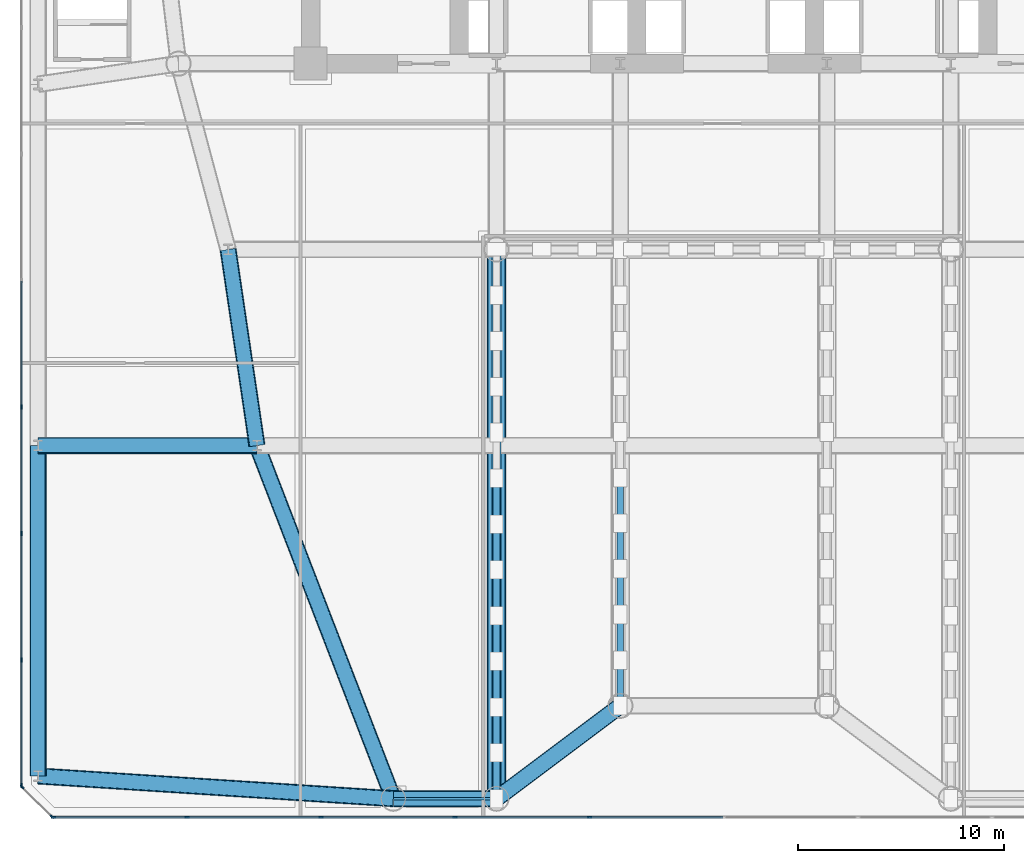
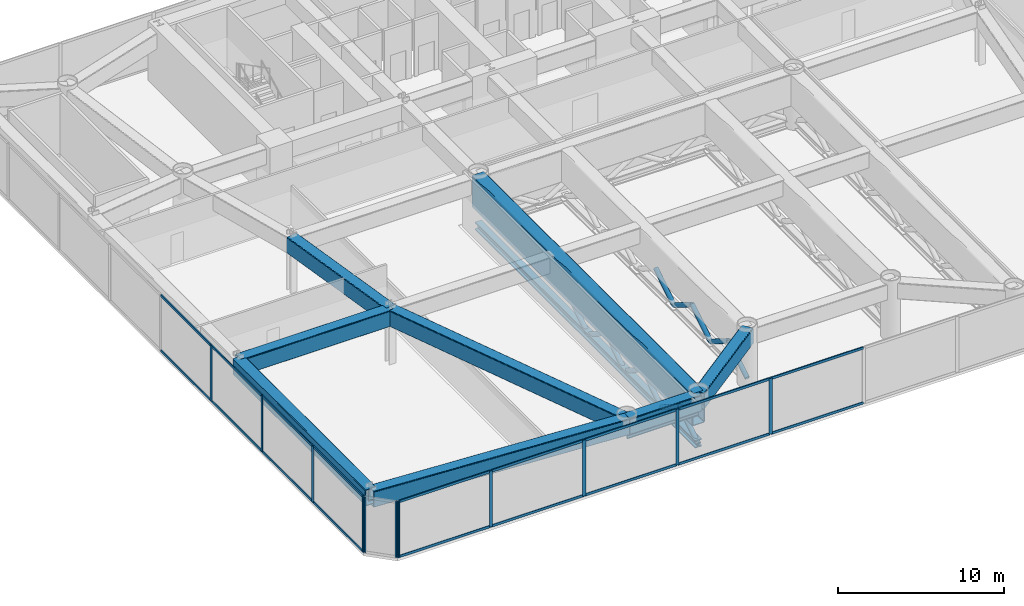
# One storey, part 2 of 21: 42 members, 9 beams, 3 elements without a shape of their own.
"""IFC4 building model written with IfcOpenShell, lengths in metres."""

from ifc_helpers import new_model, si_unit, direction, frame, origin, origin_2d, place, context, subcontext, project, spatial, rectangle, hollow_rectangle, hollow_circle, i_section, extrude, source, transform, mapped, material, layer, layer_set, material_profile, profile_set, type_object, element, aggregate, save


model = new_model("IFC4")

# Units and contexts
model_context = context("Model", 3, precision=1e-05, world=origin(), true_north=direction((0.0, 1.0)))
body_context = subcontext(model_context, "Body", "Model", "MODEL_VIEW")
ifc_project = project(units=[si_unit("LENGTHUNIT", "METRE"), si_unit("AREAUNIT", "SQUARE_METRE"), si_unit("VOLUMEUNIT", "CUBIC_METRE"), si_unit("PLANEANGLEUNIT", "RADIAN"), si_unit("MASSUNIT", "GRAM", prefix="KILO")], contexts=[model_context])

# Site, building, storey
site_placement = place(None, origin())
site = spatial("IfcSite", under=ifc_project, at=site_placement, CompositionType="ELEMENT")
building_placement = place(site_placement, origin())
building = spatial("IfcBuilding", under=site, at=building_placement, Name="Vaeldorn Concourse Tower", CompositionType="ELEMENT")
storey_placement = place(building_placement, frame((0.0, 0.0, 14.39990234375)))
storey = spatial("IfcBuildingStorey", under=building, at=storey_placement, Name="L03", CompositionType="ELEMENT", Elevation=14.39990234375)

# Beams
ifc_material_1 = material(Name="Steel S460", Category="steel")
ifc_material_profile_1 = material_profile(ifc_material_1, hollow_rectangle(XDim=0.89990234375, YDim=2.39990234375, WallThickness=0.06005859375, InnerFilletRadius=0.06005859375, OuterFilletRadius=0.1201171875, at=origin_2d()), Name="RHS 2400x900x60")
ifc_profile_set_1 = profile_set([ifc_material_profile_1], Name="Steel S460")
beam_type_1 = type_object("IfcBeamType", Name="BM-TG-BOX2400", PredefinedType="BEAM", material=ifc_profile_set_1)
shared_shape_1 = source(origin(), body_context, "Body", "SweptSolid", [
    extrude(hollow_rectangle(XDim=0.89990234375, YDim=2.39990234375, WallThickness=0.06005859375, InnerFilletRadius=0.06005859375, OuterFilletRadius=0.1201171875, at=origin_2d()), origin(), (0.0, 0.0, 1.0), 26.60009765625),
])
beam_1_placement = place(storey_placement, frame((23.0, 0.89990234375, 2.920166015625), z_axis=(0.0, 1.0, 0.0), x_axis=(-1.0, 0.0, 0.0)))
element("IfcBeam", 1, at=beam_1_placement, inside=storey, type_object=beam_type_1, Name="Beam BM-L03-TG-W2400", PredefinedType="BEAM", context=body_context, shape_type="MappedRepresentation", body=[
    mapped(shared_shape_1, transform((0.0, 0.0, 0.0), scale=1.0)),
])
ifc_material_profile_2 = material_profile(ifc_material_1, hollow_rectangle(XDim=0.800048828125, YDim=1.199951171875, WallThickness=0.044921875, InnerFilletRadius=0.044921875, OuterFilletRadius=0.090087890625, at=origin_2d()), Name="RHS 1200x800x45")
ifc_profile_set_2 = profile_set([ifc_material_profile_2], Name="Steel S460")
beam_type_2 = type_object("IfcBeamType", Name="BM-TG-RHS1200", PredefinedType="BEAM", material=ifc_profile_set_2)
shared_shape_2 = source(origin(), body_context, "Body", "SweptSolid", [
    extrude(hollow_rectangle(XDim=0.800048828125, YDim=1.199951171875, WallThickness=0.044921875, InnerFilletRadius=0.044921875, OuterFilletRadius=0.090087890625, at=origin_2d()), origin(), (0.0, 0.0, 1.0), 17.235107421875),
])
beam_2_placement = place(storey_placement, frame((0.800048828125, 2.0, 3.52001953125), z_axis=(0.997960855094, -0.063828925254, 0.0), x_axis=(0.063828925254, 0.997960855094, 0.0)))
element("IfcBeam", 2, at=beam_2_placement, inside=storey, type_object=beam_type_2, Name="Beam BM-L03-TG-12", PredefinedType="BEAM", context=body_context, shape_type="MappedRepresentation", body=[
    mapped(shared_shape_2, transform((0.0, 0.0, 0.0), scale=1.0)),
])
shared_shape_3 = source(origin(), body_context, "Body", "SweptSolid", [
    extrude(hollow_rectangle(XDim=0.800048828125, YDim=1.199951171875, WallThickness=0.044921875, InnerFilletRadius=0.044921875, OuterFilletRadius=0.090087890625, at=origin_2d()), origin(), (0.0, 0.0, 1.0), 5.0),
])
beam_3_placement = place(storey_placement, frame((18.0, 0.89990234375, 3.52001953125), z_axis=(1.0, 0.0, 0.0), x_axis=(0.0, 1.0, 0.0)))
element("IfcBeam", 3, at=beam_3_placement, inside=storey, type_object=beam_type_2, Name="Beam BM-L03-TG-13", PredefinedType="BEAM", context=body_context, shape_type="MappedRepresentation", body=[
    mapped(shared_shape_3, transform((0.0, 0.0, 0.0), scale=1.0)),
])
shared_shape_4 = source(origin(), body_context, "Body", "SweptSolid", [
    extrude(hollow_rectangle(XDim=0.800048828125, YDim=1.199951171875, WallThickness=0.044921875, InnerFilletRadius=0.044921875, OuterFilletRadius=0.090087890625, at=origin_2d()), origin(), (0.0, 0.0, 1.0), 7.5),
])
beam_4_placement = place(storey_placement, frame((23.0, 0.89990234375, 3.52001953125), z_axis=(0.8, 0.6, 0.0), x_axis=(-0.6, 0.8, 0.0)))
element("IfcBeam", 4, at=beam_4_placement, inside=storey, type_object=beam_type_2, Name="Beam BM-L03-TG-14", PredefinedType="BEAM", context=body_context, shape_type="MappedRepresentation", body=[
    mapped(shared_shape_4, transform((0.0, 0.0, 0.0), scale=1.0)),
])
shared_shape_5 = source(origin(), body_context, "Body", "SweptSolid", [
    extrude(hollow_rectangle(XDim=0.800048828125, YDim=1.199951171875, WallThickness=0.044921875, InnerFilletRadius=0.044921875, OuterFilletRadius=0.090087890625, at=origin_2d()), origin(), (0.0, 0.0, 1.0), 16.0),
])
beam_5_placement = place(storey_placement, frame((0.800048828125, 2.0, 3.52001953125), z_axis=(0.0, 1.0, 0.0), x_axis=(-1.0, 0.0, 0.0)))
element("IfcBeam", 5, at=beam_5_placement, inside=storey, type_object=beam_type_2, Name="Beam BM-L03-TG-19", PredefinedType="BEAM", context=body_context, shape_type="MappedRepresentation", body=[
    mapped(shared_shape_5, transform((0.0, 0.0, 0.0), scale=1.0)),
])
shared_shape_6 = source(origin(), body_context, "Body", "SweptSolid", [
    extrude(hollow_rectangle(XDim=0.800048828125, YDim=1.199951171875, WallThickness=0.044921875, InnerFilletRadius=0.044921875, OuterFilletRadius=0.090087890625, at=origin_2d()), origin(), (0.0, 0.0, 1.0), 10.599853515625),
])
beam_6_placement = place(storey_placement, frame((0.800048828125, 18.0, 3.52001953125), z_axis=(1.0, 0.0, 0.0), x_axis=(0.0, 1.0, 0.0)))
element("IfcBeam", 6, at=beam_6_placement, inside=storey, type_object=beam_type_2, Name="Beam BM-L03-TG-25", PredefinedType="BEAM", context=body_context, shape_type="MappedRepresentation", body=[
    mapped(shared_shape_6, transform((0.0, 0.0, 0.0), scale=1.0)),
])
shared_shape_7 = source(origin(), body_context, "Body", "SweptSolid", [
    extrude(hollow_rectangle(XDim=0.800048828125, YDim=1.199951171875, WallThickness=0.044921875, InnerFilletRadius=0.044921875, OuterFilletRadius=0.090087890625, at=origin_2d()), origin(), (0.0, 0.0, 1.0), 9.6025390625),
])
beam_7_placement = place(storey_placement, frame((10.0, 27.5, 3.52001953125), z_axis=(0.145783835977, -0.989316467652, 0.0), x_axis=(0.989316467652, 0.145783835977, 0.0)))
element("IfcBeam", 7, at=beam_7_placement, inside=storey, type_object=beam_type_2, Name="Beam BM-L03-TG-37", PredefinedType="BEAM", context=body_context, shape_type="MappedRepresentation", body=[
    mapped(shared_shape_7, transform((0.0, 0.0, 0.0), scale=1.0)),
])
shared_shape_8 = source(origin(), body_context, "Body", "SweptSolid", [
    extrude(hollow_rectangle(XDim=0.800048828125, YDim=1.199951171875, WallThickness=0.044921875, InnerFilletRadius=0.044921875, OuterFilletRadius=0.090087890625, at=origin_2d()), origin(), (0.0, 0.0, 1.0), 18.32958984375),
])
beam_8_placement = place(storey_placement, frame((11.39990234375, 18.0, 3.52001953125), z_axis=(0.36007844134, -0.932922031084, 0.0), x_axis=(0.932922031084, 0.36007844134, 0.0)))
element("IfcBeam", 8, at=beam_8_placement, inside=storey, type_object=beam_type_2, Name="Beam BM-L03-TG-38", PredefinedType="BEAM", context=body_context, shape_type="MappedRepresentation", body=[
    mapped(shared_shape_8, transform((0.0, 0.0, 0.0), scale=1.0)),
])
ifc_material_2 = material(Name="Steel S355", Category="steel")
ifc_material_profile_3 = material_profile(ifc_material_2, i_section(OverallWidth=0.1201171875, OverallDepth=0.239990234375, WebThickness=0.006103515625, FlangeThickness=0.009765625, FilletRadius=0.014892578125, at=origin_2d()), Name="IPE 240")
ifc_profile_set_3 = profile_set([ifc_material_profile_3], Name="Steel S355")
beam_type_3 = type_object("IfcBeamType", Name="BM-LN-IPE240", PredefinedType="LINTEL", material=ifc_profile_set_3)
shared_shape_9 = source(origin(), body_context, "Body", "SweptSolid", [
    extrude(i_section(OverallWidth=0.1201171875, OverallDepth=0.239990234375, WebThickness=0.006103515625, FlangeThickness=0.009765625, FilletRadius=0.014892578125, at=origin_2d()), origin(), (0.0, 0.0, 1.0), 5.0),
])
beam_9_placement = place(storey_placement, frame((18.0, 0.89990234375, 2.550048828125), z_axis=(1.0, 0.0, 0.0), x_axis=(0.0, 1.0, 0.0)))
element("IfcBeam", 9, at=beam_9_placement, inside=storey, type_object=beam_type_3, Name="Podium Concourse Transom Lintel L03-1", PredefinedType="LINTEL", context=body_context, shape_type="MappedRepresentation", body=[
    mapped(shared_shape_9, transform((0.0, 0.0, 0.0), scale=1.0)),
])

# Members
ifc_material_profile_4 = material_profile(ifc_material_1, i_section(OverallWidth=0.4541015625, OverallDepth=0.569091796875, WebThickness=0.077880859375, FlangeThickness=0.080078125, FilletRadius=0.014892578125, at=origin_2d()), Name="HD 400x1086")
ifc_profile_set_4 = profile_set([ifc_material_profile_4], Name="Steel S460")
member_type_1 = type_object("IfcMemberType", Name="MB-TT-CHORD", PredefinedType="CHORD", material=ifc_profile_set_4)
shared_shape_10 = source(origin(), body_context, "Body", "SweptSolid", [
    extrude(i_section(OverallWidth=0.4541015625, OverallDepth=0.569091796875, WebThickness=0.077880859375, FlangeThickness=0.080078125, FilletRadius=0.014892578125, at=origin_2d()), origin(), (0.0, 0.0, 1.0), 26.60009765625),
])
member_1_placement = place(storey_placement, frame((23.0, 0.89990234375, 0.320068359375), z_axis=(0.0, 1.0, 0.0), x_axis=(-1.0, 0.0, 0.0)))
element("IfcMember", 10, at=member_1_placement, inside=storey, type_object=member_type_1, Name="Concourse Spanning Frame TT1 Bottom Chord", PredefinedType="CHORD", context=body_context, shape_type="MappedRepresentation", body=[
    mapped(shared_shape_10, transform((0.0, 0.0, 0.0), scale=1.0)),
])
ifc_material_profile_5 = material_profile(ifc_material_1, hollow_circle(Radius=0.161865234375, WallThickness=0.01611328125, at=origin_2d()), Name="CHS 323.9x16")
ifc_profile_set_5 = profile_set([ifc_material_profile_5], Name="Steel S460")
member_type_2 = type_object("IfcMemberType", Name="MB-KINK-STRUT", PredefinedType="STRUT", material=ifc_profile_set_5)
shared_shape_11 = source(origin(), body_context, "Body", "SweptSolid", [
    extrude(hollow_circle(Radius=0.161865234375, WallThickness=0.01611328125, at=origin_2d()), origin(), (0.0, 0.0, 1.0), 2.621826171875),
])
for number, where, z_axis, x_axis, name in (
    (11, (23.0, 0.89990234375, 0.320068359375), (0.0, 0.845477839764, 0.534010507825), (-1.0, 0.0, 0.0), "Concourse Spanning Frame TT1 Web Diagonal 1"),
    (12, (23.0, 5.333251953125, 0.320068359375), (0.0, -0.845451283482, 0.534052551027), (1.0, 0.0, 0.0), "Concourse Spanning Frame TT1 Web Diagonal 2"),
    (13, (23.0, 5.333251953125, 0.320068359375), (0.0, 0.845477839764, 0.534010507825), (-1.0, 0.0, 0.0), "Concourse Spanning Frame TT1 Web Diagonal 3"),
    (14, (23.0, 9.7666015625, 0.320068359375), (0.0, -0.845451283482, 0.534052551027), (1.0, 0.0, 0.0), "Concourse Spanning Frame TT1 Web Diagonal 4"),
    (15, (23.0, 9.7666015625, 0.320068359375), (0.0, 0.845477839764, 0.534010507825), (-1.0, 0.0, 0.0), "Concourse Spanning Frame TT1 Web Diagonal 5"),
    (16, (23.0, 14.199951171875, 0.320068359375), (0.0, -0.845451283482, 0.534052551027), (1.0, 0.0, 0.0), "Concourse Spanning Frame TT1 Web Diagonal 6"),
    (17, (23.0, 14.199951171875, 0.320068359375), (0.0, 0.845477839764, 0.534010507825), (-1.0, 0.0, 0.0), "Concourse Spanning Frame TT1 Web Diagonal 7"),
):
    element("IfcMember", number, at=place(storey_placement, frame(where, z_axis=z_axis, x_axis=x_axis)), inside=storey, type_object=member_type_2, Name=name, PredefinedType="STRUT", context=body_context, shape_type="MappedRepresentation", body=[
        mapped(shared_shape_11, transform((0.0, 0.0, 0.0), scale=1.0)),
    ])
shared_shape_12 = source(origin(), body_context, "Body", "SweptSolid", [
    extrude(hollow_circle(Radius=0.161865234375, WallThickness=0.01611328125, at=origin_2d()), origin(), (0.0, 0.0, 1.0), 2.616455078125),
])
member_2_placement = place(storey_placement, frame((29.0, 5.39990234375, 0.320068359375), z_axis=(0.0, 0.844758613094, 0.535147536296), x_axis=(-1.0, 0.0, 0.0)))
element("IfcMember", 18, at=member_2_placement, inside=storey, type_object=member_type_2, Name="Concourse Spanning Frame TT2 Web Diagonal 1", PredefinedType="STRUT", context=body_context, shape_type="MappedRepresentation", body=[
    mapped(shared_shape_12, transform((0.0, 0.0, 0.0), scale=1.0)),
])
shared_shape_13 = source(origin(), body_context, "Body", "SweptSolid", [
    extrude(hollow_circle(Radius=0.161865234375, WallThickness=0.01611328125, at=origin_2d()), origin(), (0.0, 0.0, 1.0), 2.6162109375),
])
for number, where, z_axis, x_axis, name in (
    (19, (29.0, 9.820068359375, 0.320068359375), (0.0, -0.844731886813, 0.53518972281), (1.0, 0.0, 0.0), "Concourse Spanning Frame TT2 Web Diagonal 2"),
    (20, (29.0, 9.820068359375, 0.320068359375), (0.0, 0.844731886813, 0.53518972281), (-1.0, 0.0, 0.0), "Concourse Spanning Frame TT2 Web Diagonal 3"),
    (21, (29.0, 14.239990234375, 0.320068359375), (0.0, -0.844731886813, 0.53518972281), (1.0, 0.0, 0.0), "Concourse Spanning Frame TT2 Web Diagonal 4"),
    (22, (29.0, 14.239990234375, 0.320068359375), (0.0, 0.844731886813, 0.53518972281), (-1.0, 0.0, 0.0), "Concourse Spanning Frame TT2 Web Diagonal 5"),
):
    element("IfcMember", number, at=place(storey_placement, frame(where, z_axis=z_axis, x_axis=x_axis)), inside=storey, type_object=member_type_2, Name=name, PredefinedType="STRUT", context=body_context, shape_type="MappedRepresentation", body=[
        mapped(shared_shape_13, transform((0.0, 0.0, 0.0), scale=1.0)),
    ])

# Curtain wall, members
ifc_material_3 = material(Name="Anodised Bronze Aluminium", Category="aluminium")
ifc_layer = layer(ifc_material_3, 0.239990234375)
ifc_layer_set = layer_set([ifc_layer], Name="Anodised Bronze Aluminium")
curtain_wall_type = type_object("IfcCurtainWallType", Name="CW-SYS-04", PredefinedType="NOTDEFINED", material=ifc_layer_set)
curtain_wall_1_placement = place(storey_placement, origin())
curtain_wall_1 = element("IfcCurtainWall", 23, at=curtain_wall_1_placement, inside=storey, type_object=curtain_wall_type, Name="Unitised Curtain Wall CW-L03-E01-1", PredefinedType="NOTDEFINED")
ifc_material_profile_6 = material_profile(ifc_material_3, rectangle(XDim=0.074951171875, YDim=0.179931640625, at=origin_2d()), Name="CWT 75x180")
ifc_profile_set_6 = profile_set([ifc_material_profile_6], Name="Anodised Bronze Aluminium")
member_type_3 = type_object("IfcMemberType", Name="CWT-BRONZE-180", PredefinedType="USERDEFINED", material=ifc_profile_set_6)
shared_shape_14 = source(origin(), body_context, "Body", "SweptSolid", [
    extrude(rectangle(XDim=0.074951171875, YDim=0.179931640625, at=origin_2d()), origin(), (0.0, 0.0, 1.0), 6.387451171875),
])
member_3_placement = place(storey_placement, frame((1.574951171875, 0.0, 0.03759765625), z_axis=(1.0, 0.0, 0.0), x_axis=(0.0, 1.0, 0.0)))
member_3 = element("IfcMember", 24, at=member_3_placement, type_object=member_type_3, Name="CW-04 transom 1.1", ObjectType="TRANSOM", PredefinedType="USERDEFINED", context=body_context, shape_type="MappedRepresentation", body=[
    mapped(shared_shape_14, transform((0.0, 0.0, 0.0), scale=1.0)),
])
member_4_placement = place(storey_placement, frame((1.574951171875, 0.0, 4.08251953125), z_axis=(1.0, 0.0, 0.0), x_axis=(0.0, 1.0, 0.0)))
member_4 = element("IfcMember", 25, at=member_4_placement, type_object=member_type_3, Name="CW-04 transom 1.2", ObjectType="TRANSOM", PredefinedType="USERDEFINED", context=body_context, shape_type="MappedRepresentation", body=[
    mapped(shared_shape_14, transform((0.0, 0.0, 0.0), scale=1.0)),
])
shared_shape_15 = source(origin(), body_context, "Body", "SweptSolid", [
    extrude(rectangle(XDim=0.074951171875, YDim=0.179931640625, at=origin_2d()), origin(), (0.0, 0.0, 1.0), 6.4248046875),
])
member_5_placement = place(storey_placement, frame((8.03759765625, 0.0, 0.03759765625), z_axis=(1.0, 0.0, 0.0), x_axis=(0.0, 1.0, 0.0)))
member_5 = element("IfcMember", 26, at=member_5_placement, type_object=member_type_3, Name="CW-04 transom 2.1", ObjectType="TRANSOM", PredefinedType="USERDEFINED", context=body_context, shape_type="MappedRepresentation", body=[
    mapped(shared_shape_15, transform((0.0, 0.0, 0.0), scale=1.0)),
])
member_6_placement = place(storey_placement, frame((8.03759765625, 0.0, 4.08251953125), z_axis=(1.0, 0.0, 0.0), x_axis=(0.0, 1.0, 0.0)))
member_6 = element("IfcMember", 27, at=member_6_placement, type_object=member_type_3, Name="CW-04 transom 2.2", ObjectType="TRANSOM", PredefinedType="USERDEFINED", context=body_context, shape_type="MappedRepresentation", body=[
    mapped(shared_shape_15, transform((0.0, 0.0, 0.0), scale=1.0)),
])
member_7_placement = place(storey_placement, frame((14.53759765625, 0.0, 0.03759765625), z_axis=(1.0, 0.0, 0.0), x_axis=(0.0, 1.0, 0.0)))
member_7 = element("IfcMember", 28, at=member_7_placement, type_object=member_type_3, Name="CW-04 transom 3.1", ObjectType="TRANSOM", PredefinedType="USERDEFINED", context=body_context, shape_type="MappedRepresentation", body=[
    mapped(shared_shape_15, transform((0.0, 0.0, 0.0), scale=1.0)),
])
member_8_placement = place(storey_placement, frame((14.53759765625, 0.0, 4.08251953125), z_axis=(1.0, 0.0, 0.0), x_axis=(0.0, 1.0, 0.0)))
member_8 = element("IfcMember", 29, at=member_8_placement, type_object=member_type_3, Name="CW-04 transom 3.2", ObjectType="TRANSOM", PredefinedType="USERDEFINED", context=body_context, shape_type="MappedRepresentation", body=[
    mapped(shared_shape_15, transform((0.0, 0.0, 0.0), scale=1.0)),
])
member_9_placement = place(storey_placement, frame((21.03759765625, 0.0, 0.03759765625), z_axis=(1.0, 0.0, 0.0), x_axis=(0.0, 1.0, 0.0)))
member_9 = element("IfcMember", 30, at=member_9_placement, type_object=member_type_3, Name="CW-04 transom 4.1", ObjectType="TRANSOM", PredefinedType="USERDEFINED", context=body_context, shape_type="MappedRepresentation", body=[
    mapped(shared_shape_15, transform((0.0, 0.0, 0.0), scale=1.0)),
])
member_10_placement = place(storey_placement, frame((21.03759765625, 0.0, 4.08251953125), z_axis=(1.0, 0.0, 0.0), x_axis=(0.0, 1.0, 0.0)))
member_10 = element("IfcMember", 31, at=member_10_placement, type_object=member_type_3, Name="CW-04 transom 4.2", ObjectType="TRANSOM", PredefinedType="USERDEFINED", context=body_context, shape_type="MappedRepresentation", body=[
    mapped(shared_shape_15, transform((0.0, 0.0, 0.0), scale=1.0)),
])
member_11_placement = place(storey_placement, frame((27.53759765625, 0.0, 0.03759765625), z_axis=(1.0, 0.0, 0.0), x_axis=(0.0, 1.0, 0.0)))
member_11 = element("IfcMember", 32, at=member_11_placement, type_object=member_type_3, Name="CW-04 transom 5.1", ObjectType="TRANSOM", PredefinedType="USERDEFINED", context=body_context, shape_type="MappedRepresentation", body=[
    mapped(shared_shape_15, transform((0.0, 0.0, 0.0), scale=1.0)),
])
member_12_placement = place(storey_placement, frame((27.53759765625, 0.0, 4.08251953125), z_axis=(1.0, 0.0, 0.0), x_axis=(0.0, 1.0, 0.0)))
member_12 = element("IfcMember", 33, at=member_12_placement, type_object=member_type_3, Name="CW-04 transom 5.2", ObjectType="TRANSOM", PredefinedType="USERDEFINED", context=body_context, shape_type="MappedRepresentation", body=[
    mapped(shared_shape_15, transform((0.0, 0.0, 0.0), scale=1.0)),
])

curtain_wall_2_placement = place(storey_placement, origin())
curtain_wall_2 = element("IfcCurtainWall", 34, at=curtain_wall_2_placement, inside=storey, type_object=curtain_wall_type, Name="Unitised Curtain Wall CW-L03-E07-1", PredefinedType="NOTDEFINED")
shared_shape_16 = source(origin(), body_context, "Body", "SweptSolid", [
    extrude(rectangle(XDim=0.074951171875, YDim=0.179931640625, at=origin_2d()), origin(), (0.0, 0.0, 1.0), 6.012451171875),
])
member_13_placement = place(storey_placement, frame((0.0, 7.58740234375, 0.03759765625), z_axis=(0.0, -1.0, 0.0), x_axis=(1.0, 0.0, 0.0)))
member_13 = element("IfcMember", 35, at=member_13_placement, type_object=member_type_3, Name="CW-04 transom 8.1", ObjectType="TRANSOM", PredefinedType="USERDEFINED", context=body_context, shape_type="MappedRepresentation", body=[
    mapped(shared_shape_16, transform((0.0, 0.0, 0.0), scale=1.0)),
])
member_14_placement = place(storey_placement, frame((0.0, 7.58740234375, 4.08251953125), z_axis=(0.0, -1.0, 0.0), x_axis=(1.0, 0.0, 0.0)))
member_14 = element("IfcMember", 36, at=member_14_placement, type_object=member_type_3, Name="CW-04 transom 8.2", ObjectType="TRANSOM", PredefinedType="USERDEFINED", context=body_context, shape_type="MappedRepresentation", body=[
    mapped(shared_shape_16, transform((0.0, 0.0, 0.0), scale=1.0)),
])
shared_shape_17 = source(origin(), body_context, "Body", "SweptSolid", [
    extrude(rectangle(XDim=0.074951171875, YDim=0.179931640625, at=origin_2d()), origin(), (0.0, 0.0, 1.0), 6.0498046875),
])
member_15_placement = place(storey_placement, frame((0.0, 25.96240234375, 0.03759765625), z_axis=(0.0, -1.0, 0.0), x_axis=(1.0, 0.0, 0.0)))
member_15 = element("IfcMember", 37, at=member_15_placement, type_object=member_type_3, Name="CW-04 transom 5.1", ObjectType="TRANSOM", PredefinedType="USERDEFINED", context=body_context, shape_type="MappedRepresentation", body=[
    mapped(shared_shape_17, transform((0.0, 0.0, 0.0), scale=1.0)),
])
member_16_placement = place(storey_placement, frame((0.0, 25.96240234375, 4.08251953125), z_axis=(0.0, -1.0, 0.0), x_axis=(1.0, 0.0, 0.0)))
member_16 = element("IfcMember", 38, at=member_16_placement, type_object=member_type_3, Name="CW-04 transom 5.2", ObjectType="TRANSOM", PredefinedType="USERDEFINED", context=body_context, shape_type="MappedRepresentation", body=[
    mapped(shared_shape_17, transform((0.0, 0.0, 0.0), scale=1.0)),
])
member_17_placement = place(storey_placement, frame((0.0, 19.83740234375, 0.03759765625), z_axis=(0.0, -1.0, 0.0), x_axis=(1.0, 0.0, 0.0)))
member_17 = element("IfcMember", 39, at=member_17_placement, type_object=member_type_3, Name="CW-04 transom 6.1", ObjectType="TRANSOM", PredefinedType="USERDEFINED", context=body_context, shape_type="MappedRepresentation", body=[
    mapped(shared_shape_17, transform((0.0, 0.0, 0.0), scale=1.0)),
])
member_18_placement = place(storey_placement, frame((0.0, 19.83740234375, 4.08251953125), z_axis=(0.0, -1.0, 0.0), x_axis=(1.0, 0.0, 0.0)))
member_18 = element("IfcMember", 40, at=member_18_placement, type_object=member_type_3, Name="CW-04 transom 6.2", ObjectType="TRANSOM", PredefinedType="USERDEFINED", context=body_context, shape_type="MappedRepresentation", body=[
    mapped(shared_shape_17, transform((0.0, 0.0, 0.0), scale=1.0)),
])
member_19_placement = place(storey_placement, frame((0.0, 13.71240234375, 0.03759765625), z_axis=(0.0, -1.0, 0.0), x_axis=(1.0, 0.0, 0.0)))
member_19 = element("IfcMember", 41, at=member_19_placement, type_object=member_type_3, Name="CW-04 transom 7.1", ObjectType="TRANSOM", PredefinedType="USERDEFINED", context=body_context, shape_type="MappedRepresentation", body=[
    mapped(shared_shape_17, transform((0.0, 0.0, 0.0), scale=1.0)),
])
member_20_placement = place(storey_placement, frame((0.0, 13.71240234375, 4.08251953125), z_axis=(0.0, -1.0, 0.0), x_axis=(1.0, 0.0, 0.0)))
member_20 = element("IfcMember", 42, at=member_20_placement, type_object=member_type_3, Name="CW-04 transom 7.2", ObjectType="TRANSOM", PredefinedType="USERDEFINED", context=body_context, shape_type="MappedRepresentation", body=[
    mapped(shared_shape_17, transform((0.0, 0.0, 0.0), scale=1.0)),
])

# Member
ifc_material_profile_7 = material_profile(ifc_material_3, rectangle(XDim=0.074951171875, YDim=0.219970703125, at=origin_2d()), Name="CWM 75x220")
ifc_profile_set_7 = profile_set([ifc_material_profile_7], Name="Anodised Bronze Aluminium")
member_type_4 = type_object("IfcMemberType", Name="CWM-BRONZE-220", PredefinedType="MULLION", material=ifc_profile_set_7)
shared_shape_18 = source(origin(), body_context, "Body", "SweptSolid", [
    extrude(rectangle(XDim=0.074951171875, YDim=0.219970703125, at=origin_2d()), origin(), (0.0, 0.0, 1.0), 4.1201171875),
])
member_21_placement = place(storey_placement, frame((1.53759765625, 0.0, 0.0), z_axis=(0.0, 0.0, 1.0), x_axis=(0.0, 1.0, 0.0)))
member_21 = element("IfcMember", 43, at=member_21_placement, type_object=member_type_4, Name="CW-04 mullion 1", PredefinedType="MULLION", context=body_context, shape_type="MappedRepresentation", body=[
    mapped(shared_shape_18, transform((0.0, 0.0, 0.0), scale=1.0)),
])

member_22_placement = place(storey_placement, frame((8.0, 0.0, 0.0), z_axis=(0.0, 0.0, 1.0), x_axis=(0.0, 1.0, 0.0)))
member_22 = element("IfcMember", 44, at=member_22_placement, type_object=member_type_4, Name="CW-04 mullion 2", PredefinedType="MULLION", context=body_context, shape_type="MappedRepresentation", body=[
    mapped(shared_shape_18, transform((0.0, 0.0, 0.0), scale=1.0)),
])

member_23_placement = place(storey_placement, frame((14.5, 0.0, 0.0), z_axis=(0.0, 0.0, 1.0), x_axis=(0.0, 1.0, 0.0)))
member_23 = element("IfcMember", 45, at=member_23_placement, type_object=member_type_4, Name="CW-04 mullion 3", PredefinedType="MULLION", context=body_context, shape_type="MappedRepresentation", body=[
    mapped(shared_shape_18, transform((0.0, 0.0, 0.0), scale=1.0)),
])

member_24_placement = place(storey_placement, frame((21.0, 0.0, 0.0), z_axis=(0.0, 0.0, 1.0), x_axis=(0.0, 1.0, 0.0)))
member_24 = element("IfcMember", 46, at=member_24_placement, type_object=member_type_4, Name="CW-04 mullion 4", PredefinedType="MULLION", context=body_context, shape_type="MappedRepresentation", body=[
    mapped(shared_shape_18, transform((0.0, 0.0, 0.0), scale=1.0)),
])

member_25_placement = place(storey_placement, frame((27.5, 0.0, 0.0), z_axis=(0.0, 0.0, 1.0), x_axis=(0.0, 1.0, 0.0)))
member_25 = element("IfcMember", 47, at=member_25_placement, type_object=member_type_4, Name="CW-04 mullion 5", PredefinedType="MULLION", context=body_context, shape_type="MappedRepresentation", body=[
    mapped(shared_shape_18, transform((0.0, 0.0, 0.0), scale=1.0)),
])

aggregate(curtain_wall_1, [member_21, member_22, member_23, member_24, member_25, member_3, member_4, member_5, member_6, member_7, member_8, member_9, member_10, member_11, member_12])

member_26_placement = place(storey_placement, frame((0.0, 19.875, 0.0), z_axis=(0.0, 0.0, 1.0), x_axis=(1.0, 0.0, 0.0)))
member_26 = element("IfcMember", 48, at=member_26_placement, type_object=member_type_4, Name="CW-04 mullion 6", PredefinedType="MULLION", context=body_context, shape_type="MappedRepresentation", body=[
    mapped(shared_shape_18, transform((0.0, 0.0, 0.0), scale=1.0)),
])

member_27_placement = place(storey_placement, frame((0.0, 13.75, 0.0), z_axis=(0.0, 0.0, 1.0), x_axis=(1.0, 0.0, 0.0)))
member_27 = element("IfcMember", 49, at=member_27_placement, type_object=member_type_4, Name="CW-04 mullion 7", PredefinedType="MULLION", context=body_context, shape_type="MappedRepresentation", body=[
    mapped(shared_shape_18, transform((0.0, 0.0, 0.0), scale=1.0)),
])

member_28_placement = place(storey_placement, frame((0.0, 7.625, 0.0), z_axis=(0.0, 0.0, 1.0), x_axis=(1.0, 0.0, 0.0)))
member_28 = element("IfcMember", 50, at=member_28_placement, type_object=member_type_4, Name="CW-04 mullion 8", PredefinedType="MULLION", context=body_context, shape_type="MappedRepresentation", body=[
    mapped(shared_shape_18, transform((0.0, 0.0, 0.0), scale=1.0)),
])

member_29_placement = place(storey_placement, frame((0.0, 1.53759765625, 0.0), z_axis=(0.0, 0.0, 1.0), x_axis=(1.0, 0.0, 0.0)))
member_29 = element("IfcMember", 51, at=member_29_placement, type_object=member_type_4, Name="CW-04 mullion 9", PredefinedType="MULLION", context=body_context, shape_type="MappedRepresentation", body=[
    mapped(shared_shape_18, transform((0.0, 0.0, 0.0), scale=1.0)),
])

aggregate(curtain_wall_2, [member_26, member_27, member_28, member_29, member_15, member_16, member_17, member_18, member_19, member_20, member_13, member_14])

# Curtain wall, members
curtain_wall_3_placement = place(storey_placement, origin())
curtain_wall_3 = element("IfcCurtainWall", 52, at=curtain_wall_3_placement, inside=storey, type_object=curtain_wall_type, Name="Unitised Curtain Wall CW-L03-E08-1", PredefinedType="NOTDEFINED")
member_30_placement = place(storey_placement, frame((0.026611328125, 1.473388671875, 0.0), z_axis=(0.0, 0.0, 1.0), x_axis=(0.707106781187, 0.707106781187, 0.0)))
member_30 = element("IfcMember", 53, at=member_30_placement, type_object=member_type_4, Name="CW-04 mullion 1", PredefinedType="MULLION", context=body_context, shape_type="MappedRepresentation", body=[
    mapped(shared_shape_18, transform((0.0, 0.0, 0.0), scale=1.0)),
])
member_31_placement = place(storey_placement, frame((1.473388671875, 0.026611328125, 0.0), z_axis=(0.0, 0.0, 1.0), x_axis=(0.707106781187, 0.707106781187, 0.0)))
member_31 = element("IfcMember", 54, at=member_31_placement, type_object=member_type_4, Name="CW-04 mullion 2", PredefinedType="MULLION", context=body_context, shape_type="MappedRepresentation", body=[
    mapped(shared_shape_18, transform((0.0, 0.0, 0.0), scale=1.0)),
])
aggregate(curtain_wall_3, [member_30, member_31])

save(model, "model.ifc")
